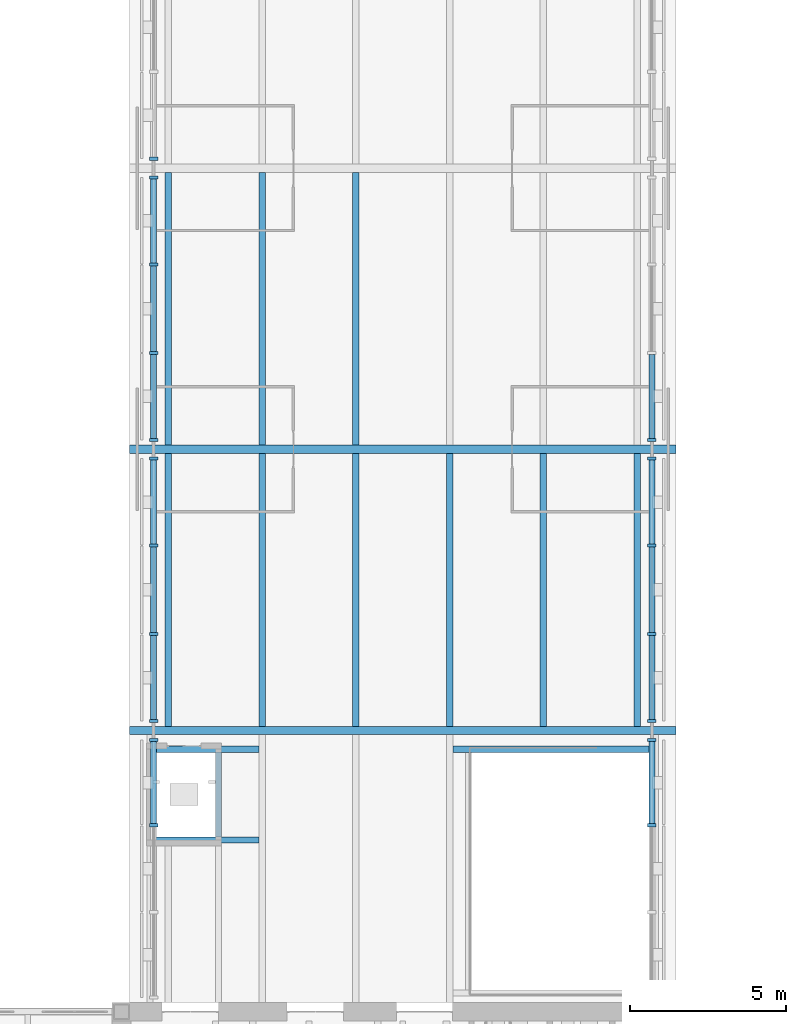
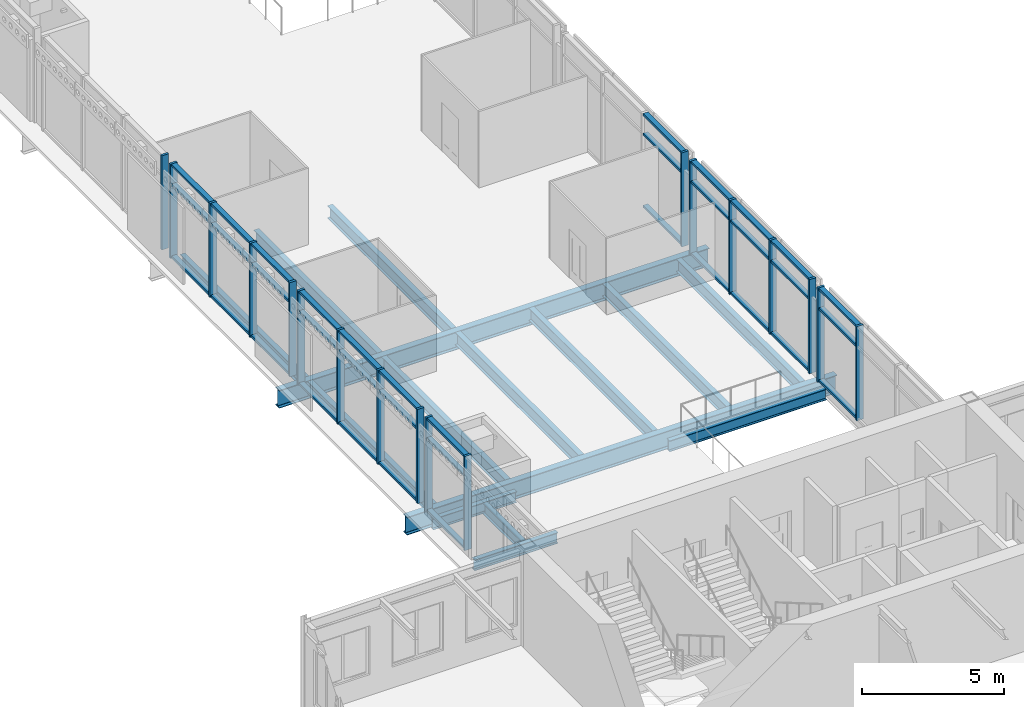
# One storey, part 27 of 123: 54 members, 15 beams, 7 elements without a shape of their own.
"""IFC4 building model written with IfcOpenShell, lengths in metres."""

from ifc_helpers import new_model, si_unit, direction, frame, origin, origin_2d, place, context, subcontext, project, spatial, rectangle, i_section, extrude, material, material_profile, profile_set, type_object, element, aggregate, save


model = new_model("IFC4")

# Units and contexts
model_context = context("Model", 3, precision=1e-05, world=origin(), true_north=direction((0.0, 1.0)))
body_context = subcontext(model_context, "Body", "Model", "MODEL_VIEW")
ifc_project = project(units=[si_unit("LENGTHUNIT", "METRE"), si_unit("AREAUNIT", "SQUARE_METRE"), si_unit("VOLUMEUNIT", "CUBIC_METRE"), si_unit("PLANEANGLEUNIT", "RADIAN"), si_unit("MASSUNIT", "GRAM", prefix="KILO")], contexts=[model_context])

# Site, building, storey
site_placement = place(None, origin())
site = spatial("IfcSite", under=ifc_project, at=site_placement, CompositionType="ELEMENT")
building_placement = place(site_placement, origin())
building = spatial("IfcBuilding", under=site, at=building_placement, Name="Baradari Gate Terminus", CompositionType="ELEMENT")
storey_placement = place(building_placement, frame((0.0, 0.0, 7.5)))
storey = spatial("IfcBuildingStorey", under=building, at=storey_placement, Name="L01", CompositionType="ELEMENT", Elevation=7.5)

# Beams
ifc_material_1 = material(Name="Steel S355", Category="steel")
ifc_material_profile_1 = material_profile(ifc_material_1, i_section(OverallWidth=0.19287109375, OverallDepth=0.46728515625, WebThickness=0.011474609375, FlangeThickness=0.01953125, FilletRadius=0.01025390625, at=origin_2d()), Name="UB 457x191x98")
ifc_profile_set_1 = profile_set([ifc_material_profile_1], Name="Steel S355")
beam_type_1 = type_object("IfcBeamType", Name="Concourse opening trimmer B19 UB 457x191x98", PredefinedType="BEAM", material=ifc_profile_set_1)
for number, where, z_axis, x_axis, name in (
    (1, (73.00048828125, 41.5, -0.363525390625), (1.0, 0.0, 0.0), (0.0, 1.0, 0.0), "Concourse opening trimmer B19 41.5:73-76.395 L01"),
    (2, (73.00048828125, 44.39990234375, -0.363525390625), (1.0, 0.0, 0.0), (0.0, 1.0, 0.0), "Concourse opening trimmer B19 44.4:73-76.395 L01"),
):
    element("IfcBeam", number, at=place(storey_placement, frame(where, z_axis=z_axis, x_axis=x_axis)), inside=storey, type_object=beam_type_1, Name=name, PredefinedType="BEAM", context=body_context, shape_type="SweptSolid", body=[
        extrude(i_section(OverallWidth=0.19287109375, OverallDepth=0.46728515625, WebThickness=0.011474609375, FlangeThickness=0.01953125, FilletRadius=0.01025390625, at=origin_2d()), origin(), (0.0, 0.0, 1.0), 3.39404296875),
    ])
beam_1_placement = place(storey_placement, frame((82.60546875, 44.39990234375, -0.363525390625), z_axis=(1.0, 0.0, 0.0), x_axis=(0.0, 1.0, 0.0)))
element("IfcBeam", 3, at=beam_1_placement, inside=storey, type_object=beam_type_1, Name="Concourse opening trimmer B19 44.4:82.605-89 L01", PredefinedType="BEAM", context=body_context, shape_type="SweptSolid", body=[
    extrude(i_section(OverallWidth=0.19287109375, OverallDepth=0.46728515625, WebThickness=0.011474609375, FlangeThickness=0.01953125, FilletRadius=0.01025390625, at=origin_2d()), origin(), (0.0, 0.0, 1.0), 6.39404296875),
])
beam_2_placement = place(storey_placement, frame((75.095947265625, 41.596435546875, -0.363525390625), z_axis=(0.0, 1.0, 0.0), x_axis=(-1.0, 0.0, 0.0)))
element("IfcBeam", 4, at=beam_2_placement, inside=storey, type_object=beam_type_1, Name="Concourse opening trimmer B19 75.096:41.596-44.304 L01", PredefinedType="BEAM", context=body_context, shape_type="SweptSolid", body=[
    extrude(i_section(OverallWidth=0.19287109375, OverallDepth=0.46728515625, WebThickness=0.011474609375, FlangeThickness=0.01953125, FilletRadius=0.01025390625, at=origin_2d()), origin(), (0.0, 0.0, 1.0), 2.707275390625),
])

# Curtain wall, members
ifc_material_2 = material(Name="Aluminium 6063-T6", Category="aluminium")
curtain_wall_type = type_object("IfcCurtainWallType", Name="Curtain wall CW-14 concourse bridge glazing", PredefinedType="NOTDEFINED", material=ifc_material_2)
curtain_wall_1_placement = place(storey_placement, origin())
curtain_wall_1 = element("IfcCurtainWall", 5, at=curtain_wall_1_placement, inside=storey, type_object=curtain_wall_type, Name="Curtain wall CW-3 gate west face L01 bay 1", PredefinedType="NOTDEFINED")
ifc_material_3 = material(Name="Aluminium 6063-T6", Category="aluminium")
ifc_material_profile_2 = material_profile(ifc_material_3, rectangle(XDim=0.27490234375, YDim=0.10009765625, at=origin_2d()), Name="CM-14 100X275")
ifc_profile_set_2 = profile_set([ifc_material_profile_2], Name="Aluminium 6063-T6")
member_type_1 = type_object("IfcMemberType", Name="Curtain wall mullion CM-14 100x275", PredefinedType="MULLION", material=ifc_profile_set_2)
member_1_placement = place(storey_placement, frame((73.02490234375, 41.966552734375, 0.0), z_axis=(0.0, 0.0, 1.0), x_axis=(-1.0, 0.0, 0.0)))
member_1 = element("IfcMember", 6, at=member_1_placement, type_object=member_type_1, Name="CW-14 mullion 3", PredefinedType="MULLION", context=body_context, shape_type="SweptSolid", body=[
    extrude(rectangle(XDim=0.27490234375, YDim=0.10009765625, at=origin_2d()), origin(), (0.0, 0.0, 1.0), 4.050048828125),
])
member_2_placement = place(storey_placement, frame((73.02490234375, 44.699951171875, 0.0), z_axis=(0.0, 0.0, 1.0), x_axis=(-1.0, 0.0, 0.0)))
member_2 = element("IfcMember", 7, at=member_2_placement, type_object=member_type_1, Name="CW-14 mullion 4", PredefinedType="MULLION", context=body_context, shape_type="SweptSolid", body=[
    extrude(rectangle(XDim=0.27490234375, YDim=0.10009765625, at=origin_2d()), origin(), (0.0, 0.0, 1.0), 4.050048828125),
])

curtain_wall_2_placement = place(storey_placement, origin())
curtain_wall_2 = element("IfcCurtainWall", 8, at=curtain_wall_2_placement, inside=storey, type_object=curtain_wall_type, Name="Curtain wall CW-3 gate west face L01 bay 2", PredefinedType="NOTDEFINED")
member_3_placement = place(storey_placement, frame((73.02490234375, 45.300048828125, 0.0), z_axis=(0.0, 0.0, 1.0), x_axis=(-1.0, 0.0, 0.0)))
member_3 = element("IfcMember", 9, at=member_3_placement, type_object=member_type_1, Name="CW-14 mullion 1", PredefinedType="MULLION", context=body_context, shape_type="SweptSolid", body=[
    extrude(rectangle(XDim=0.27490234375, YDim=0.10009765625, at=origin_2d()), origin(), (0.0, 0.0, 1.0), 4.050048828125),
])
member_4_placement = place(storey_placement, frame((73.02490234375, 48.083251953125, 0.0), z_axis=(0.0, 0.0, 1.0), x_axis=(-1.0, 0.0, 0.0)))
member_4 = element("IfcMember", 10, at=member_4_placement, type_object=member_type_1, Name="CW-14 mullion 2", PredefinedType="MULLION", context=body_context, shape_type="SweptSolid", body=[
    extrude(rectangle(XDim=0.27490234375, YDim=0.10009765625, at=origin_2d()), origin(), (0.0, 0.0, 1.0), 4.050048828125),
])
member_5_placement = place(storey_placement, frame((73.02490234375, 50.916748046875, 0.0), z_axis=(0.0, 0.0, 1.0), x_axis=(-1.0, 0.0, 0.0)))
member_5 = element("IfcMember", 11, at=member_5_placement, type_object=member_type_1, Name="CW-14 mullion 3", PredefinedType="MULLION", context=body_context, shape_type="SweptSolid", body=[
    extrude(rectangle(XDim=0.27490234375, YDim=0.10009765625, at=origin_2d()), origin(), (0.0, 0.0, 1.0), 4.050048828125),
])
member_6_placement = place(storey_placement, frame((73.02490234375, 53.699951171875, 0.0), z_axis=(0.0, 0.0, 1.0), x_axis=(-1.0, 0.0, 0.0)))
member_6 = element("IfcMember", 12, at=member_6_placement, type_object=member_type_1, Name="CW-14 mullion 4", PredefinedType="MULLION", context=body_context, shape_type="SweptSolid", body=[
    extrude(rectangle(XDim=0.27490234375, YDim=0.10009765625, at=origin_2d()), origin(), (0.0, 0.0, 1.0), 4.050048828125),
])

curtain_wall_3_placement = place(storey_placement, origin())
curtain_wall_3 = element("IfcCurtainWall", 13, at=curtain_wall_3_placement, inside=storey, type_object=curtain_wall_type, Name="Curtain wall CW-3 gate west face L01 bay 3", PredefinedType="NOTDEFINED")
member_7_placement = place(storey_placement, frame((73.02490234375, 54.300048828125, 0.0), z_axis=(0.0, 0.0, 1.0), x_axis=(-1.0, 0.0, 0.0)))
member_7 = element("IfcMember", 14, at=member_7_placement, type_object=member_type_1, Name="CW-14 mullion 1", PredefinedType="MULLION", context=body_context, shape_type="SweptSolid", body=[
    extrude(rectangle(XDim=0.27490234375, YDim=0.10009765625, at=origin_2d()), origin(), (0.0, 0.0, 1.0), 4.050048828125),
])
member_8_placement = place(storey_placement, frame((73.02490234375, 57.083251953125, 0.0), z_axis=(0.0, 0.0, 1.0), x_axis=(-1.0, 0.0, 0.0)))
member_8 = element("IfcMember", 15, at=member_8_placement, type_object=member_type_1, Name="CW-14 mullion 2", PredefinedType="MULLION", context=body_context, shape_type="SweptSolid", body=[
    extrude(rectangle(XDim=0.27490234375, YDim=0.10009765625, at=origin_2d()), origin(), (0.0, 0.0, 1.0), 4.050048828125),
])
member_9_placement = place(storey_placement, frame((73.02490234375, 59.916748046875, 0.0), z_axis=(0.0, 0.0, 1.0), x_axis=(-1.0, 0.0, 0.0)))
member_9 = element("IfcMember", 16, at=member_9_placement, type_object=member_type_1, Name="CW-14 mullion 3", PredefinedType="MULLION", context=body_context, shape_type="SweptSolid", body=[
    extrude(rectangle(XDim=0.27490234375, YDim=0.10009765625, at=origin_2d()), origin(), (0.0, 0.0, 1.0), 4.050048828125),
])
member_10_placement = place(storey_placement, frame((73.02490234375, 62.699951171875, 0.0), z_axis=(0.0, 0.0, 1.0), x_axis=(-1.0, 0.0, 0.0)))
member_10 = element("IfcMember", 17, at=member_10_placement, type_object=member_type_1, Name="CW-14 mullion 4", PredefinedType="MULLION", context=body_context, shape_type="SweptSolid", body=[
    extrude(rectangle(XDim=0.27490234375, YDim=0.10009765625, at=origin_2d()), origin(), (0.0, 0.0, 1.0), 4.050048828125),
])

# Curtain wall, member
curtain_wall_4_placement = place(storey_placement, origin())
curtain_wall_4 = element("IfcCurtainWall", 18, at=curtain_wall_4_placement, inside=storey, type_object=curtain_wall_type, Name="Curtain wall CW-3 gate west face L01 bay 4", PredefinedType="NOTDEFINED")
member_11_placement = place(storey_placement, frame((73.02490234375, 63.300048828125, 0.0), z_axis=(0.0, 0.0, 1.0), x_axis=(-1.0, 0.0, 0.0)))
member_11 = element("IfcMember", 19, at=member_11_placement, type_object=member_type_1, Name="CW-14 mullion 1", PredefinedType="MULLION", context=body_context, shape_type="SweptSolid", body=[
    extrude(rectangle(XDim=0.27490234375, YDim=0.10009765625, at=origin_2d()), origin(), (0.0, 0.0, 1.0), 4.050048828125),
])
aggregate(curtain_wall_4, [member_11])

# Curtain wall, members
curtain_wall_5_placement = place(storey_placement, origin())
curtain_wall_5 = element("IfcCurtainWall", 20, at=curtain_wall_5_placement, inside=storey, type_object=curtain_wall_type, Name="Curtain wall CW-3 gate east face L01 bay 1", PredefinedType="NOTDEFINED")
member_12_placement = place(storey_placement, frame((88.97509765625, 41.966552734375, 0.0), z_axis=(0.0, 0.0, 1.0), x_axis=(-1.0, 0.0, 0.0)))
member_12 = element("IfcMember", 21, at=member_12_placement, type_object=member_type_1, Name="CW-14 mullion 3", PredefinedType="MULLION", context=body_context, shape_type="SweptSolid", body=[
    extrude(rectangle(XDim=0.27490234375, YDim=0.10009765625, at=origin_2d()), origin(), (0.0, 0.0, 1.0), 4.050048828125),
])
member_13_placement = place(storey_placement, frame((88.97509765625, 44.699951171875, 0.0), z_axis=(0.0, 0.0, 1.0), x_axis=(-1.0, 0.0, 0.0)))
member_13 = element("IfcMember", 22, at=member_13_placement, type_object=member_type_1, Name="CW-14 mullion 4", PredefinedType="MULLION", context=body_context, shape_type="SweptSolid", body=[
    extrude(rectangle(XDim=0.27490234375, YDim=0.10009765625, at=origin_2d()), origin(), (0.0, 0.0, 1.0), 4.050048828125),
])

curtain_wall_6_placement = place(storey_placement, origin())
curtain_wall_6 = element("IfcCurtainWall", 23, at=curtain_wall_6_placement, inside=storey, type_object=curtain_wall_type, Name="Curtain wall CW-3 gate east face L01 bay 2", PredefinedType="NOTDEFINED")
member_14_placement = place(storey_placement, frame((88.97509765625, 45.300048828125, 0.0), z_axis=(0.0, 0.0, 1.0), x_axis=(-1.0, 0.0, 0.0)))
member_14 = element("IfcMember", 24, at=member_14_placement, type_object=member_type_1, Name="CW-14 mullion 1", PredefinedType="MULLION", context=body_context, shape_type="SweptSolid", body=[
    extrude(rectangle(XDim=0.27490234375, YDim=0.10009765625, at=origin_2d()), origin(), (0.0, 0.0, 1.0), 4.050048828125),
])
member_15_placement = place(storey_placement, frame((88.97509765625, 48.083251953125, 0.0), z_axis=(0.0, 0.0, 1.0), x_axis=(-1.0, 0.0, 0.0)))
member_15 = element("IfcMember", 25, at=member_15_placement, type_object=member_type_1, Name="CW-14 mullion 2", PredefinedType="MULLION", context=body_context, shape_type="SweptSolid", body=[
    extrude(rectangle(XDim=0.27490234375, YDim=0.10009765625, at=origin_2d()), origin(), (0.0, 0.0, 1.0), 4.050048828125),
])
member_16_placement = place(storey_placement, frame((88.97509765625, 50.916748046875, 0.0), z_axis=(0.0, 0.0, 1.0), x_axis=(-1.0, 0.0, 0.0)))
member_16 = element("IfcMember", 26, at=member_16_placement, type_object=member_type_1, Name="CW-14 mullion 3", PredefinedType="MULLION", context=body_context, shape_type="SweptSolid", body=[
    extrude(rectangle(XDim=0.27490234375, YDim=0.10009765625, at=origin_2d()), origin(), (0.0, 0.0, 1.0), 4.050048828125),
])
member_17_placement = place(storey_placement, frame((88.97509765625, 53.699951171875, 0.0), z_axis=(0.0, 0.0, 1.0), x_axis=(-1.0, 0.0, 0.0)))
member_17 = element("IfcMember", 27, at=member_17_placement, type_object=member_type_1, Name="CW-14 mullion 4", PredefinedType="MULLION", context=body_context, shape_type="SweptSolid", body=[
    extrude(rectangle(XDim=0.27490234375, YDim=0.10009765625, at=origin_2d()), origin(), (0.0, 0.0, 1.0), 4.050048828125),
])

# Curtain wall, member
curtain_wall_7_placement = place(storey_placement, origin())
curtain_wall_7 = element("IfcCurtainWall", 28, at=curtain_wall_7_placement, inside=storey, type_object=curtain_wall_type, Name="Curtain wall CW-3 gate east face L01 bay 3", PredefinedType="NOTDEFINED")
member_18_placement = place(storey_placement, frame((88.97509765625, 54.300048828125, 0.0), z_axis=(0.0, 0.0, 1.0), x_axis=(-1.0, 0.0, 0.0)))
member_18 = element("IfcMember", 29, at=member_18_placement, type_object=member_type_1, Name="CW-14 mullion 1", PredefinedType="MULLION", context=body_context, shape_type="SweptSolid", body=[
    extrude(rectangle(XDim=0.27490234375, YDim=0.10009765625, at=origin_2d()), origin(), (0.0, 0.0, 1.0), 4.050048828125),
])

# Member
ifc_material_4 = material(Name="Aluminium 6063-T6", Category="aluminium")
ifc_material_profile_3 = material_profile(ifc_material_4, rectangle(XDim=0.199951171875, YDim=0.10009765625, at=origin_2d()), Name="CT-14 100X200")
ifc_profile_set_3 = profile_set([ifc_material_profile_3], Name="Aluminium 6063-T6")
member_type_2 = type_object("IfcMemberType", Name="Curtain wall transom CT-14 100x200", PredefinedType="USERDEFINED", material=ifc_profile_set_3)
member_19_placement = place(storey_placement, frame((73.02490234375, 42.0166015625, 0.050048828125), z_axis=(0.0, 1.0, 0.0), x_axis=(-1.0, 0.0, 0.0)))
member_19 = element("IfcMember", 30, at=member_19_placement, type_object=member_type_2, Name="CW-14 transom 3.1", ObjectType="TRANSOM", PredefinedType="USERDEFINED", context=body_context, shape_type="SweptSolid", body=[
    extrude(rectangle(XDim=0.199951171875, YDim=0.10009765625, at=origin_2d()), origin(), (0.0, 0.0, 1.0), 2.63330078125),
])

member_20_placement = place(storey_placement, frame((73.02490234375, 42.0166015625, 3.14990234375), z_axis=(0.0, 1.0, 0.0), x_axis=(-1.0, 0.0, 0.0)))
member_20 = element("IfcMember", 31, at=member_20_placement, type_object=member_type_2, Name="CW-14 transom 3.2", ObjectType="TRANSOM", PredefinedType="USERDEFINED", context=body_context, shape_type="SweptSolid", body=[
    extrude(rectangle(XDim=0.199951171875, YDim=0.10009765625, at=origin_2d()), origin(), (0.0, 0.0, 1.0), 2.63330078125),
])

member_21_placement = place(storey_placement, frame((73.02490234375, 42.0166015625, 4.0), z_axis=(0.0, 1.0, 0.0), x_axis=(-1.0, 0.0, 0.0)))
member_21 = element("IfcMember", 32, at=member_21_placement, type_object=member_type_2, Name="CW-14 transom 3.3", ObjectType="TRANSOM", PredefinedType="USERDEFINED", context=body_context, shape_type="SweptSolid", body=[
    extrude(rectangle(XDim=0.199951171875, YDim=0.10009765625, at=origin_2d()), origin(), (0.0, 0.0, 1.0), 2.63330078125),
])

aggregate(curtain_wall_1, [member_1, member_2, member_19, member_20, member_21])

member_22_placement = place(storey_placement, frame((73.02490234375, 45.35009765625, 0.050048828125), z_axis=(0.0, 1.0, 0.0), x_axis=(-1.0, 0.0, 0.0)))
member_22 = element("IfcMember", 33, at=member_22_placement, type_object=member_type_2, Name="CW-14 transom 1.1", ObjectType="TRANSOM", PredefinedType="USERDEFINED", context=body_context, shape_type="SweptSolid", body=[
    extrude(rectangle(XDim=0.199951171875, YDim=0.10009765625, at=origin_2d()), origin(), (0.0, 0.0, 1.0), 2.683349609375),
])

member_23_placement = place(storey_placement, frame((73.02490234375, 45.35009765625, 3.14990234375), z_axis=(0.0, 1.0, 0.0), x_axis=(-1.0, 0.0, 0.0)))
member_23 = element("IfcMember", 34, at=member_23_placement, type_object=member_type_2, Name="CW-14 transom 1.2", ObjectType="TRANSOM", PredefinedType="USERDEFINED", context=body_context, shape_type="SweptSolid", body=[
    extrude(rectangle(XDim=0.199951171875, YDim=0.10009765625, at=origin_2d()), origin(), (0.0, 0.0, 1.0), 2.683349609375),
])

member_24_placement = place(storey_placement, frame((73.02490234375, 45.35009765625, 4.0), z_axis=(0.0, 1.0, 0.0), x_axis=(-1.0, 0.0, 0.0)))
member_24 = element("IfcMember", 35, at=member_24_placement, type_object=member_type_2, Name="CW-14 transom 1.3", ObjectType="TRANSOM", PredefinedType="USERDEFINED", context=body_context, shape_type="SweptSolid", body=[
    extrude(rectangle(XDim=0.199951171875, YDim=0.10009765625, at=origin_2d()), origin(), (0.0, 0.0, 1.0), 2.683349609375),
])

member_25_placement = place(storey_placement, frame((73.02490234375, 48.13330078125, 0.050048828125), z_axis=(0.0, 1.0, 0.0), x_axis=(-1.0, 0.0, 0.0)))
member_25 = element("IfcMember", 36, at=member_25_placement, type_object=member_type_2, Name="CW-14 transom 2.1", ObjectType="TRANSOM", PredefinedType="USERDEFINED", context=body_context, shape_type="SweptSolid", body=[
    extrude(rectangle(XDim=0.199951171875, YDim=0.10009765625, at=origin_2d()), origin(), (0.0, 0.0, 1.0), 2.7333984375),
])

member_26_placement = place(storey_placement, frame((73.02490234375, 48.13330078125, 3.14990234375), z_axis=(0.0, 1.0, 0.0), x_axis=(-1.0, 0.0, 0.0)))
member_26 = element("IfcMember", 37, at=member_26_placement, type_object=member_type_2, Name="CW-14 transom 2.2", ObjectType="TRANSOM", PredefinedType="USERDEFINED", context=body_context, shape_type="SweptSolid", body=[
    extrude(rectangle(XDim=0.199951171875, YDim=0.10009765625, at=origin_2d()), origin(), (0.0, 0.0, 1.0), 2.7333984375),
])

member_27_placement = place(storey_placement, frame((73.02490234375, 48.13330078125, 4.0), z_axis=(0.0, 1.0, 0.0), x_axis=(-1.0, 0.0, 0.0)))
member_27 = element("IfcMember", 38, at=member_27_placement, type_object=member_type_2, Name="CW-14 transom 2.3", ObjectType="TRANSOM", PredefinedType="USERDEFINED", context=body_context, shape_type="SweptSolid", body=[
    extrude(rectangle(XDim=0.199951171875, YDim=0.10009765625, at=origin_2d()), origin(), (0.0, 0.0, 1.0), 2.7333984375),
])

member_28_placement = place(storey_placement, frame((73.02490234375, 50.966552734375, 0.050048828125), z_axis=(0.0, 1.0, 0.0), x_axis=(-1.0, 0.0, 0.0)))
member_28 = element("IfcMember", 39, at=member_28_placement, type_object=member_type_2, Name="CW-14 transom 3.1", ObjectType="TRANSOM", PredefinedType="USERDEFINED", context=body_context, shape_type="SweptSolid", body=[
    extrude(rectangle(XDim=0.199951171875, YDim=0.10009765625, at=origin_2d()), origin(), (0.0, 0.0, 1.0), 2.683349609375),
])

member_29_placement = place(storey_placement, frame((73.02490234375, 50.966552734375, 3.14990234375), z_axis=(0.0, 1.0, 0.0), x_axis=(-1.0, 0.0, 0.0)))
member_29 = element("IfcMember", 40, at=member_29_placement, type_object=member_type_2, Name="CW-14 transom 3.2", ObjectType="TRANSOM", PredefinedType="USERDEFINED", context=body_context, shape_type="SweptSolid", body=[
    extrude(rectangle(XDim=0.199951171875, YDim=0.10009765625, at=origin_2d()), origin(), (0.0, 0.0, 1.0), 2.683349609375),
])

member_30_placement = place(storey_placement, frame((73.02490234375, 50.966552734375, 4.0), z_axis=(0.0, 1.0, 0.0), x_axis=(-1.0, 0.0, 0.0)))
member_30 = element("IfcMember", 41, at=member_30_placement, type_object=member_type_2, Name="CW-14 transom 3.3", ObjectType="TRANSOM", PredefinedType="USERDEFINED", context=body_context, shape_type="SweptSolid", body=[
    extrude(rectangle(XDim=0.199951171875, YDim=0.10009765625, at=origin_2d()), origin(), (0.0, 0.0, 1.0), 2.683349609375),
])

aggregate(curtain_wall_2, [member_3, member_4, member_5, member_6, member_22, member_23, member_24, member_25, member_26, member_27, member_28, member_29, member_30])

member_31_placement = place(storey_placement, frame((73.02490234375, 54.35009765625, 0.050048828125), z_axis=(0.0, 1.0, 0.0), x_axis=(-1.0, 0.0, 0.0)))
member_31 = element("IfcMember", 42, at=member_31_placement, type_object=member_type_2, Name="CW-14 transom 1.1", ObjectType="TRANSOM", PredefinedType="USERDEFINED", context=body_context, shape_type="SweptSolid", body=[
    extrude(rectangle(XDim=0.199951171875, YDim=0.10009765625, at=origin_2d()), origin(), (0.0, 0.0, 1.0), 2.683349609375),
])

member_32_placement = place(storey_placement, frame((73.02490234375, 54.35009765625, 3.14990234375), z_axis=(0.0, 1.0, 0.0), x_axis=(-1.0, 0.0, 0.0)))
member_32 = element("IfcMember", 43, at=member_32_placement, type_object=member_type_2, Name="CW-14 transom 1.2", ObjectType="TRANSOM", PredefinedType="USERDEFINED", context=body_context, shape_type="SweptSolid", body=[
    extrude(rectangle(XDim=0.199951171875, YDim=0.10009765625, at=origin_2d()), origin(), (0.0, 0.0, 1.0), 2.683349609375),
])

member_33_placement = place(storey_placement, frame((73.02490234375, 54.35009765625, 4.0), z_axis=(0.0, 1.0, 0.0), x_axis=(-1.0, 0.0, 0.0)))
member_33 = element("IfcMember", 44, at=member_33_placement, type_object=member_type_2, Name="CW-14 transom 1.3", ObjectType="TRANSOM", PredefinedType="USERDEFINED", context=body_context, shape_type="SweptSolid", body=[
    extrude(rectangle(XDim=0.199951171875, YDim=0.10009765625, at=origin_2d()), origin(), (0.0, 0.0, 1.0), 2.683349609375),
])

member_34_placement = place(storey_placement, frame((73.02490234375, 57.13330078125, 0.050048828125), z_axis=(0.0, 1.0, 0.0), x_axis=(-1.0, 0.0, 0.0)))
member_34 = element("IfcMember", 45, at=member_34_placement, type_object=member_type_2, Name="CW-14 transom 2.1", ObjectType="TRANSOM", PredefinedType="USERDEFINED", context=body_context, shape_type="SweptSolid", body=[
    extrude(rectangle(XDim=0.199951171875, YDim=0.10009765625, at=origin_2d()), origin(), (0.0, 0.0, 1.0), 2.7333984375),
])

member_35_placement = place(storey_placement, frame((73.02490234375, 57.13330078125, 3.14990234375), z_axis=(0.0, 1.0, 0.0), x_axis=(-1.0, 0.0, 0.0)))
member_35 = element("IfcMember", 46, at=member_35_placement, type_object=member_type_2, Name="CW-14 transom 2.2", ObjectType="TRANSOM", PredefinedType="USERDEFINED", context=body_context, shape_type="SweptSolid", body=[
    extrude(rectangle(XDim=0.199951171875, YDim=0.10009765625, at=origin_2d()), origin(), (0.0, 0.0, 1.0), 2.7333984375),
])

member_36_placement = place(storey_placement, frame((73.02490234375, 57.13330078125, 4.0), z_axis=(0.0, 1.0, 0.0), x_axis=(-1.0, 0.0, 0.0)))
member_36 = element("IfcMember", 47, at=member_36_placement, type_object=member_type_2, Name="CW-14 transom 2.3", ObjectType="TRANSOM", PredefinedType="USERDEFINED", context=body_context, shape_type="SweptSolid", body=[
    extrude(rectangle(XDim=0.199951171875, YDim=0.10009765625, at=origin_2d()), origin(), (0.0, 0.0, 1.0), 2.7333984375),
])

member_37_placement = place(storey_placement, frame((73.02490234375, 59.966552734375, 0.050048828125), z_axis=(0.0, 1.0, 0.0), x_axis=(-1.0, 0.0, 0.0)))
member_37 = element("IfcMember", 48, at=member_37_placement, type_object=member_type_2, Name="CW-14 transom 3.1", ObjectType="TRANSOM", PredefinedType="USERDEFINED", context=body_context, shape_type="SweptSolid", body=[
    extrude(rectangle(XDim=0.199951171875, YDim=0.10009765625, at=origin_2d()), origin(), (0.0, 0.0, 1.0), 2.683349609375),
])

member_38_placement = place(storey_placement, frame((73.02490234375, 59.966552734375, 3.14990234375), z_axis=(0.0, 1.0, 0.0), x_axis=(-1.0, 0.0, 0.0)))
member_38 = element("IfcMember", 49, at=member_38_placement, type_object=member_type_2, Name="CW-14 transom 3.2", ObjectType="TRANSOM", PredefinedType="USERDEFINED", context=body_context, shape_type="SweptSolid", body=[
    extrude(rectangle(XDim=0.199951171875, YDim=0.10009765625, at=origin_2d()), origin(), (0.0, 0.0, 1.0), 2.683349609375),
])

member_39_placement = place(storey_placement, frame((73.02490234375, 59.966552734375, 4.0), z_axis=(0.0, 1.0, 0.0), x_axis=(-1.0, 0.0, 0.0)))
member_39 = element("IfcMember", 50, at=member_39_placement, type_object=member_type_2, Name="CW-14 transom 3.3", ObjectType="TRANSOM", PredefinedType="USERDEFINED", context=body_context, shape_type="SweptSolid", body=[
    extrude(rectangle(XDim=0.199951171875, YDim=0.10009765625, at=origin_2d()), origin(), (0.0, 0.0, 1.0), 2.683349609375),
])

aggregate(curtain_wall_3, [member_7, member_8, member_9, member_10, member_31, member_32, member_33, member_34, member_35, member_36, member_37, member_38, member_39])

member_40_placement = place(storey_placement, frame((88.97509765625, 42.0166015625, 0.050048828125), z_axis=(0.0, 1.0, 0.0), x_axis=(-1.0, 0.0, 0.0)))
member_40 = element("IfcMember", 51, at=member_40_placement, type_object=member_type_2, Name="CW-14 transom 3.1", ObjectType="TRANSOM", PredefinedType="USERDEFINED", context=body_context, shape_type="SweptSolid", body=[
    extrude(rectangle(XDim=0.199951171875, YDim=0.10009765625, at=origin_2d()), origin(), (0.0, 0.0, 1.0), 2.63330078125),
])

member_41_placement = place(storey_placement, frame((88.97509765625, 42.0166015625, 3.14990234375), z_axis=(0.0, 1.0, 0.0), x_axis=(-1.0, 0.0, 0.0)))
member_41 = element("IfcMember", 52, at=member_41_placement, type_object=member_type_2, Name="CW-14 transom 3.2", ObjectType="TRANSOM", PredefinedType="USERDEFINED", context=body_context, shape_type="SweptSolid", body=[
    extrude(rectangle(XDim=0.199951171875, YDim=0.10009765625, at=origin_2d()), origin(), (0.0, 0.0, 1.0), 2.63330078125),
])

member_42_placement = place(storey_placement, frame((88.97509765625, 42.0166015625, 4.0), z_axis=(0.0, 1.0, 0.0), x_axis=(-1.0, 0.0, 0.0)))
member_42 = element("IfcMember", 53, at=member_42_placement, type_object=member_type_2, Name="CW-14 transom 3.3", ObjectType="TRANSOM", PredefinedType="USERDEFINED", context=body_context, shape_type="SweptSolid", body=[
    extrude(rectangle(XDim=0.199951171875, YDim=0.10009765625, at=origin_2d()), origin(), (0.0, 0.0, 1.0), 2.63330078125),
])

aggregate(curtain_wall_5, [member_12, member_13, member_40, member_41, member_42])

member_43_placement = place(storey_placement, frame((88.97509765625, 45.35009765625, 0.050048828125), z_axis=(0.0, 1.0, 0.0), x_axis=(-1.0, 0.0, 0.0)))
member_43 = element("IfcMember", 54, at=member_43_placement, type_object=member_type_2, Name="CW-14 transom 1.1", ObjectType="TRANSOM", PredefinedType="USERDEFINED", context=body_context, shape_type="SweptSolid", body=[
    extrude(rectangle(XDim=0.199951171875, YDim=0.10009765625, at=origin_2d()), origin(), (0.0, 0.0, 1.0), 2.683349609375),
])

member_44_placement = place(storey_placement, frame((88.97509765625, 45.35009765625, 3.14990234375), z_axis=(0.0, 1.0, 0.0), x_axis=(-1.0, 0.0, 0.0)))
member_44 = element("IfcMember", 55, at=member_44_placement, type_object=member_type_2, Name="CW-14 transom 1.2", ObjectType="TRANSOM", PredefinedType="USERDEFINED", context=body_context, shape_type="SweptSolid", body=[
    extrude(rectangle(XDim=0.199951171875, YDim=0.10009765625, at=origin_2d()), origin(), (0.0, 0.0, 1.0), 2.683349609375),
])

member_45_placement = place(storey_placement, frame((88.97509765625, 45.35009765625, 4.0), z_axis=(0.0, 1.0, 0.0), x_axis=(-1.0, 0.0, 0.0)))
member_45 = element("IfcMember", 56, at=member_45_placement, type_object=member_type_2, Name="CW-14 transom 1.3", ObjectType="TRANSOM", PredefinedType="USERDEFINED", context=body_context, shape_type="SweptSolid", body=[
    extrude(rectangle(XDim=0.199951171875, YDim=0.10009765625, at=origin_2d()), origin(), (0.0, 0.0, 1.0), 2.683349609375),
])

member_46_placement = place(storey_placement, frame((88.97509765625, 48.13330078125, 0.050048828125), z_axis=(0.0, 1.0, 0.0), x_axis=(-1.0, 0.0, 0.0)))
member_46 = element("IfcMember", 57, at=member_46_placement, type_object=member_type_2, Name="CW-14 transom 2.1", ObjectType="TRANSOM", PredefinedType="USERDEFINED", context=body_context, shape_type="SweptSolid", body=[
    extrude(rectangle(XDim=0.199951171875, YDim=0.10009765625, at=origin_2d()), origin(), (0.0, 0.0, 1.0), 2.7333984375),
])

member_47_placement = place(storey_placement, frame((88.97509765625, 48.13330078125, 3.14990234375), z_axis=(0.0, 1.0, 0.0), x_axis=(-1.0, 0.0, 0.0)))
member_47 = element("IfcMember", 58, at=member_47_placement, type_object=member_type_2, Name="CW-14 transom 2.2", ObjectType="TRANSOM", PredefinedType="USERDEFINED", context=body_context, shape_type="SweptSolid", body=[
    extrude(rectangle(XDim=0.199951171875, YDim=0.10009765625, at=origin_2d()), origin(), (0.0, 0.0, 1.0), 2.7333984375),
])

member_48_placement = place(storey_placement, frame((88.97509765625, 48.13330078125, 4.0), z_axis=(0.0, 1.0, 0.0), x_axis=(-1.0, 0.0, 0.0)))
member_48 = element("IfcMember", 59, at=member_48_placement, type_object=member_type_2, Name="CW-14 transom 2.3", ObjectType="TRANSOM", PredefinedType="USERDEFINED", context=body_context, shape_type="SweptSolid", body=[
    extrude(rectangle(XDim=0.199951171875, YDim=0.10009765625, at=origin_2d()), origin(), (0.0, 0.0, 1.0), 2.7333984375),
])

member_49_placement = place(storey_placement, frame((88.97509765625, 50.966552734375, 0.050048828125), z_axis=(0.0, 1.0, 0.0), x_axis=(-1.0, 0.0, 0.0)))
member_49 = element("IfcMember", 60, at=member_49_placement, type_object=member_type_2, Name="CW-14 transom 3.1", ObjectType="TRANSOM", PredefinedType="USERDEFINED", context=body_context, shape_type="SweptSolid", body=[
    extrude(rectangle(XDim=0.199951171875, YDim=0.10009765625, at=origin_2d()), origin(), (0.0, 0.0, 1.0), 2.683349609375),
])

member_50_placement = place(storey_placement, frame((88.97509765625, 50.966552734375, 3.14990234375), z_axis=(0.0, 1.0, 0.0), x_axis=(-1.0, 0.0, 0.0)))
member_50 = element("IfcMember", 61, at=member_50_placement, type_object=member_type_2, Name="CW-14 transom 3.2", ObjectType="TRANSOM", PredefinedType="USERDEFINED", context=body_context, shape_type="SweptSolid", body=[
    extrude(rectangle(XDim=0.199951171875, YDim=0.10009765625, at=origin_2d()), origin(), (0.0, 0.0, 1.0), 2.683349609375),
])

member_51_placement = place(storey_placement, frame((88.97509765625, 50.966552734375, 4.0), z_axis=(0.0, 1.0, 0.0), x_axis=(-1.0, 0.0, 0.0)))
member_51 = element("IfcMember", 62, at=member_51_placement, type_object=member_type_2, Name="CW-14 transom 3.3", ObjectType="TRANSOM", PredefinedType="USERDEFINED", context=body_context, shape_type="SweptSolid", body=[
    extrude(rectangle(XDim=0.199951171875, YDim=0.10009765625, at=origin_2d()), origin(), (0.0, 0.0, 1.0), 2.683349609375),
])

aggregate(curtain_wall_6, [member_14, member_15, member_16, member_17, member_43, member_44, member_45, member_46, member_47, member_48, member_49, member_50, member_51])

member_52_placement = place(storey_placement, frame((88.97509765625, 54.35009765625, 0.050048828125), z_axis=(0.0, 1.0, 0.0), x_axis=(-1.0, 0.0, 0.0)))
member_52 = element("IfcMember", 63, at=member_52_placement, type_object=member_type_2, Name="CW-14 transom 1.1", ObjectType="TRANSOM", PredefinedType="USERDEFINED", context=body_context, shape_type="SweptSolid", body=[
    extrude(rectangle(XDim=0.199951171875, YDim=0.10009765625, at=origin_2d()), origin(), (0.0, 0.0, 1.0), 2.683349609375),
])

member_53_placement = place(storey_placement, frame((88.97509765625, 54.35009765625, 3.14990234375), z_axis=(0.0, 1.0, 0.0), x_axis=(-1.0, 0.0, 0.0)))
member_53 = element("IfcMember", 64, at=member_53_placement, type_object=member_type_2, Name="CW-14 transom 1.2", ObjectType="TRANSOM", PredefinedType="USERDEFINED", context=body_context, shape_type="SweptSolid", body=[
    extrude(rectangle(XDim=0.199951171875, YDim=0.10009765625, at=origin_2d()), origin(), (0.0, 0.0, 1.0), 2.683349609375),
])

member_54_placement = place(storey_placement, frame((88.97509765625, 54.35009765625, 4.0), z_axis=(0.0, 1.0, 0.0), x_axis=(-1.0, 0.0, 0.0)))
member_54 = element("IfcMember", 65, at=member_54_placement, type_object=member_type_2, Name="CW-14 transom 1.3", ObjectType="TRANSOM", PredefinedType="USERDEFINED", context=body_context, shape_type="SweptSolid", body=[
    extrude(rectangle(XDim=0.199951171875, YDim=0.10009765625, at=origin_2d()), origin(), (0.0, 0.0, 1.0), 2.683349609375),
])

aggregate(curtain_wall_7, [member_18, member_52, member_53, member_54])

# Beams
ifc_material_5 = material(Name="Steel S355", Category="steel")
ifc_material_profile_4 = material_profile(ifc_material_5, i_section(OverallWidth=0.26806640625, OverallDepth=0.769775390625, WebThickness=0.015625, FlangeThickness=0.025390625, FilletRadius=0.0166015625, at=origin_2d()), Name="UB 762x267x197")
ifc_profile_set_4 = profile_set([ifc_material_profile_4], Name="Steel S355")
beam_type_2 = type_object("IfcBeamType", Name="Gate concourse girder B20 UB 762x267x197", PredefinedType="BEAM", material=ifc_profile_set_4)
for number, where, z_axis, x_axis, name in (
    (66, (72.25, 45.0, -0.514892578125), (1.0, 0.0, 0.0), (0.0, 1.0, 0.0), "Gate concourse girder B20 F:72.25-89.75 L01"),
    (67, (72.25, 54.0, -0.514892578125), (1.0, 0.0, 0.0), (0.0, 1.0, 0.0), "Gate concourse girder B20 G:72.25-89.75 L01"),
):
    element("IfcBeam", number, at=place(storey_placement, frame(where, z_axis=z_axis, x_axis=x_axis)), inside=storey, type_object=beam_type_2, Name=name, PredefinedType="BEAM", context=body_context, shape_type="SweptSolid", body=[
        extrude(i_section(OverallWidth=0.26806640625, OverallDepth=0.769775390625, WebThickness=0.015625, FlangeThickness=0.025390625, FilletRadius=0.0166015625, at=origin_2d()), origin(), (0.0, 0.0, 1.0), 17.5),
    ])
ifc_material_6 = material(Name="Steel S355", Category="steel")
ifc_material_profile_5 = material_profile(ifc_material_6, i_section(OverallWidth=0.210693359375, OverallDepth=0.53955078125, WebThickness=0.01171875, FlangeThickness=0.018798828125, FilletRadius=0.0126953125, at=origin_2d()), Name="UB 533x210x109")
ifc_profile_set_5 = profile_set([ifc_material_profile_5], Name="Steel S355")
beam_type_3 = type_object("IfcBeamType", Name="Gate concourse secondary beam B21 UB 533x210x109", PredefinedType="BEAM", material=ifc_profile_set_5)
for number, where, z_axis, x_axis, name in (
    (68, (73.5, 45.134033203125, -0.399658203125), (0.0, 1.0, 0.0), (-1.0, 0.0, 0.0), "Gate concourse secondary beam B21 73.5:45.134-53.866 L01"),
    (69, (73.5, 54.134033203125, -0.399658203125), (0.0, 1.0, 0.0), (-1.0, 0.0, 0.0), "Gate concourse secondary beam B21 73.5:54.134-62.866 L01"),
    (70, (76.5, 45.134033203125, -0.399658203125), (0.0, 1.0, 0.0), (-1.0, 0.0, 0.0), "Gate concourse secondary beam B21 76.5:45.134-53.866 L01"),
    (71, (76.5, 54.134033203125, -0.399658203125), (0.0, 1.0, 0.0), (-1.0, 0.0, 0.0), "Gate concourse secondary beam B21 76.5:54.134-62.866 L01"),
    (72, (79.5, 45.134033203125, -0.399658203125), (0.0, 1.0, 0.0), (-1.0, 0.0, 0.0), "Gate concourse secondary beam B21 79.5:45.134-53.866 L01"),
    (73, (79.5, 54.134033203125, -0.399658203125), (0.0, 1.0, 0.0), (-1.0, 0.0, 0.0), "Gate concourse secondary beam B21 79.5:54.134-62.866 L01"),
    (74, (82.5, 45.134033203125, -0.399658203125), (0.0, 1.0, 0.0), (-1.0, 0.0, 0.0), "Gate concourse secondary beam B21 82.5:45.134-53.866 L01"),
    (75, (85.5, 45.134033203125, -0.399658203125), (0.0, 1.0, 0.0), (-1.0, 0.0, 0.0), "Gate concourse secondary beam B21 85.5:45.134-53.866 L01"),
    (76, (88.5, 45.134033203125, -0.399658203125), (0.0, 1.0, 0.0), (-1.0, 0.0, 0.0), "Gate concourse secondary beam B21 88.5:45.134-53.866 L01"),
):
    element("IfcBeam", number, at=place(storey_placement, frame(where, z_axis=z_axis, x_axis=x_axis)), inside=storey, type_object=beam_type_3, Name=name, PredefinedType="BEAM", context=body_context, shape_type="SweptSolid", body=[
        extrude(i_section(OverallWidth=0.210693359375, OverallDepth=0.53955078125, WebThickness=0.01171875, FlangeThickness=0.018798828125, FilletRadius=0.0126953125, at=origin_2d()), origin(), (0.0, 0.0, 1.0), 8.73193359375),
    ])

save(model, "model.ifc")
